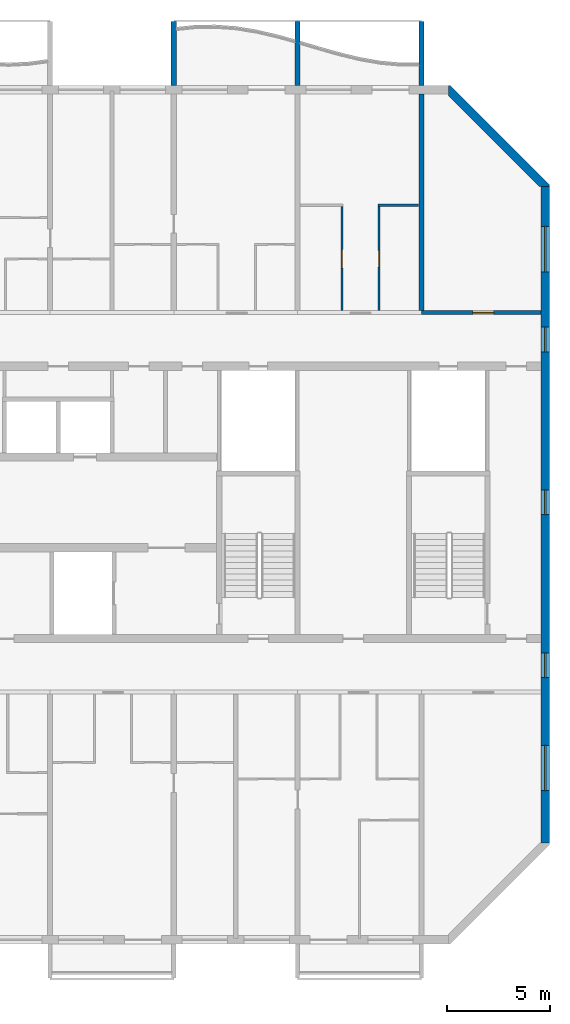
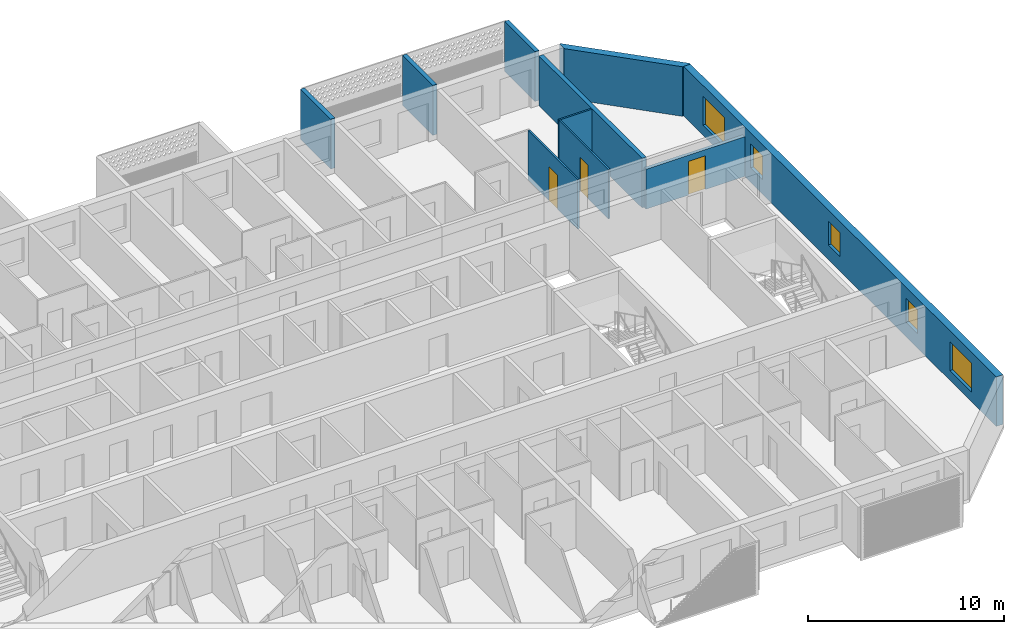
# One storey, part 11 of 27: 10 walls, 5 windows, 3 doors, 8 openings.
"""IFC4 building model written with IfcOpenShell, lengths in metres."""

from ifc_helpers import new_model, si_unit, direction, frame, frame_2d, origin, place, context, subcontext, project, spatial, polyline, rectangle, outline, extrude, source, transform, mapped, material, layer, layer_set, type_object, element, fill, save


model = new_model("IFC4")

# Units and contexts
model_context = context("Model", 3, precision=1e-05, world=origin(), true_north=direction((0.0, 1.0)))
body_context = subcontext(model_context, "Body", "Model", "MODEL_VIEW")
ifc_project = project(units=[si_unit("LENGTHUNIT", "METRE"), si_unit("AREAUNIT", "SQUARE_METRE"), si_unit("VOLUMEUNIT", "CUBIC_METRE"), si_unit("PLANEANGLEUNIT", "RADIAN"), si_unit("MASSUNIT", "GRAM", prefix="KILO")], contexts=[model_context])

# Site, building, storey
site_placement = place(None, origin())
site = spatial("IfcSite", under=ifc_project, at=site_placement, CompositionType="ELEMENT")
building_placement = place(site_placement, origin())
building = spatial("IfcBuilding", under=site, at=building_placement, Name="Poui Terraces", CompositionType="ELEMENT")
storey_placement = place(building_placement, frame((0.0, 0.0, 198.300048828125)))
storey = spatial("IfcBuildingStorey", under=building, at=storey_placement, Name="L55", CompositionType="ELEMENT", Elevation=198.300048828125)

# Wall, opening, door
ifc_material_1 = material(Name="Concrete 50 MPa", Category="concrete")
ifc_layer_1 = layer(ifc_material_1, 0.199951171875)
ifc_layer_set_1 = layer_set([ifc_layer_1], Name="Concrete 50 MPa")
wall_type_1 = type_object("IfcWallType", Name="CORRIDOR WALL 200 50MPa", PredefinedType="SHEAR", material=ifc_layer_set_1)
wall_1_placement = place(storey_placement, frame((78.0, 30.39990234375, 0.0), z_axis=(0.0, 0.0, 1.0), x_axis=(1.0, 0.0, 0.0)))
wall_1 = element("IfcWall", 1, at=wall_1_placement, inside=storey, type_object=wall_type_1, Name="CORRIDOR WALL LINE E BAY 11", PredefinedType="SHEAR", context=body_context, shape_type="SweptSolid", body=[
    extrude(rectangle(XDim=5.800048828125, YDim=0.199951171875, at=frame_2d((2.89990234375, 0.0))), origin(), (0.0, 0.0, 1.0), 2.47998046875),
])
opening_1_placement = place(wall_1_placement, frame((2.5, 0.0, 0.0)))
opening_1 = element("IfcOpeningElement", 2, at=opening_1_placement, cuts=wall_1, Name="Opening D100", PredefinedType="OPENING", context=body_context, shape_type="SweptSolid", body=[
    extrude(rectangle(XDim=1.0, YDim=2.10009765625, at=frame_2d((0.5, 1.050048828125))), frame((0.0, 0.10986328125, 0.0), z_axis=(0.0, -1.0, 0.0), x_axis=(1.0, 0.0, 0.0)), (0.0, 0.0, 1.0), 0.219970703125),
])
ifc_material_2 = material(Name="Solid core timber door", Category="wood")
door_type_1 = type_object("IfcDoorType", Name="ACCESSIBLE INTERNAL DOOR 1000 X 2100", OperationType="NOTDEFINED", PredefinedType="DOOR", material=ifc_material_2)
door_1_placement = place(opening_1_placement, origin())
door_1 = element("IfcDoor", 3, at=door_1_placement, inside=storey, type_object=door_type_1, Name="ACCESSIBLE INTERNAL DOOR 062", OperationType="SINGLE_SWING_LEFT", OverallHeight=2.10009765625, OverallWidth=1.0, PredefinedType="DOOR", context=body_context, shape_type="SweptSolid", body=[
    extrude(rectangle(XDim=1.0, YDim=2.10009765625, at=frame_2d((0.5, 1.050048828125))), frame((0.0, 0.02490234375, 0.0), z_axis=(0.0, -1.0, 0.0), x_axis=(1.0, 0.0, 0.0)), (0.0, 0.0, 1.0), 0.050048828125),
])
fill(opening_1, door_1)

# Wall
ifc_layer_2 = layer(ifc_material_1, 0.25)
ifc_layer_set_2 = layer_set([ifc_layer_2], Name="Concrete 50 MPa")
wall_type_2 = type_object("IfcWallType", Name="CROSS WALL 250 50MPa", PredefinedType="SHEAR", material=ifc_layer_set_2)
wall_2_placement = place(storey_placement, frame((78.0, 30.5, 0.0), z_axis=(0.0, 0.0, 1.0), x_axis=(0.0, 1.0, 0.0)))
element("IfcWall", 4, at=wall_2_placement, inside=storey, type_object=wall_type_2, Name="CROSS WALL LINE 14 NORTH", PredefinedType="SHEAR", context=body_context, shape_type="SweptSolid", body=[
    extrude(rectangle(XDim=10.5, YDim=0.25, at=frame_2d((5.25, 0.0))), origin(), (0.0, 0.0, 1.0), 3.079833984375),
])

# Wall, openings, windows
ifc_layer_3 = layer(ifc_material_1, 0.39990234375)
ifc_layer_set_3 = layer_set([ifc_layer_3], Name="Concrete 50 MPa")
wall_type_3 = type_object("IfcWallType", Name="END WALL 400 50MPa", PredefinedType="SHEAR", material=ifc_layer_set_3)
wall_3_placement = place(storey_placement, frame((84.0, 4.682861328125, 0.0), z_axis=(0.0, 0.0, 1.0), x_axis=(0.0, 1.0, 0.0)))
wall_3 = element("IfcWall", 5, at=wall_3_placement, inside=storey, type_object=wall_type_3, Name="END WALL EAST", PredefinedType="SHEAR", context=body_context, shape_type="SweptSolid", body=[
    extrude(rectangle(XDim=31.834228515625, YDim=0.39990234375, at=frame_2d((15.9169921875, 0.0))), origin(), (0.0, 0.0, 1.0), 3.079833984375),
])
opening_2_placement = place(wall_3_placement, frame((23.817138671875, 0.0, 0.89990234375)))
opening_2 = element("IfcOpeningElement", 6, at=opening_2_placement, cuts=wall_3, Name="Opening W2", PredefinedType="OPENING", context=body_context, shape_type="SweptSolid", body=[
    extrude(rectangle(XDim=1.199951171875, YDim=1.5, at=frame_2d((0.60009765625, 0.75))), frame((0.0, 0.2099609375, 0.0), z_axis=(0.0, -1.0, 0.0), x_axis=(1.0, 0.0, 0.0)), (0.0, 0.0, 1.0), 0.419921875),
])
opening_3_placement = place(wall_3_placement, frame((8.01708984375, 0.0, 0.89990234375)))
opening_3 = element("IfcOpeningElement", 7, at=opening_3_placement, cuts=wall_3, Name="Opening W2", PredefinedType="OPENING", context=body_context, shape_type="SweptSolid", body=[
    extrude(rectangle(XDim=1.199951171875, YDim=1.5, at=frame_2d((0.60009765625, 0.75))), frame((0.0, 0.2099609375, 0.0), z_axis=(0.0, -1.0, 0.0), x_axis=(1.0, 0.0, 0.0)), (0.0, 0.0, 1.0), 0.419921875),
])
opening_4_placement = place(wall_3_placement, frame((27.693603515625, 0.0, 0.60009765625)))
opening_4 = element("IfcOpeningElement", 8, at=opening_4_placement, cuts=wall_3, Name="Opening W3", PredefinedType="OPENING", context=body_context, shape_type="SweptSolid", body=[
    extrude(rectangle(XDim=2.199951171875, YDim=1.800048828125, at=frame_2d((1.10009765625, 0.89990234375))), frame((0.0, 0.2099609375, 0.0), z_axis=(0.0, -1.0, 0.0), x_axis=(1.0, 0.0, 0.0)), (0.0, 0.0, 1.0), 0.419921875),
])
opening_5_placement = place(wall_3_placement, frame((2.541015625, 0.0, 0.60009765625)))
opening_5 = element("IfcOpeningElement", 9, at=opening_5_placement, cuts=wall_3, Name="Opening W3", PredefinedType="OPENING", context=body_context, shape_type="SweptSolid", body=[
    extrude(rectangle(XDim=2.199951171875, YDim=1.800048828125, at=frame_2d((1.10009765625, 0.89990234375))), frame((0.0, 0.2099609375, 0.0), z_axis=(0.0, -1.0, 0.0), x_axis=(1.0, 0.0, 0.0)), (0.0, 0.0, 1.0), 0.419921875),
])
opening_6_placement = place(wall_3_placement, frame((15.917236328125, 0.0, 0.89990234375)))
opening_6 = element("IfcOpeningElement", 10, at=opening_6_placement, cuts=wall_3, Name="Opening W2", PredefinedType="OPENING", context=body_context, shape_type="SweptSolid", body=[
    extrude(rectangle(XDim=1.199951171875, YDim=1.5, at=frame_2d((0.60009765625, 0.75))), frame((0.0, 0.2099609375, 0.0), z_axis=(0.0, -1.0, 0.0), x_axis=(1.0, 0.0, 0.0)), (0.0, 0.0, 1.0), 0.419921875),
])
ifc_material_3 = material(Name="Clear glass in aluminium frame", Category="aluminium")
window_type_1 = type_object("IfcWindowType", Name="WINDOW 1200X1500", PartitioningType="SINGLE_PANEL", PredefinedType="WINDOW", material=ifc_material_3)
window_1_placement = place(opening_2_placement, origin())
window_1 = element("IfcWindow", 11, at=window_1_placement, inside=storey, type_object=window_type_1, Name="W2 WINDOW", OverallHeight=1.5, OverallWidth=1.199951171875, PartitioningType="SINGLE_PANEL", PredefinedType="WINDOW", context=body_context, shape_type="SweptSolid", body=[
    extrude(rectangle(XDim=1.199951171875, YDim=1.5, at=frame_2d((0.60009765625, 0.75))), frame((0.0, 0.030029296875, 0.0), z_axis=(0.0, -1.0, 0.0), x_axis=(1.0, 0.0, 0.0)), (0.0, 0.0, 1.0), 0.06005859375),
])
fill(opening_2, window_1)
window_2_placement = place(opening_3_placement, origin())
window_2 = element("IfcWindow", 12, at=window_2_placement, inside=storey, type_object=window_type_1, Name="W2 WINDOW", OverallHeight=1.5, OverallWidth=1.199951171875, PartitioningType="SINGLE_PANEL", PredefinedType="WINDOW", context=body_context, shape_type="SweptSolid", body=[
    extrude(rectangle(XDim=1.199951171875, YDim=1.5, at=frame_2d((0.60009765625, 0.75))), frame((0.0, 0.030029296875, 0.0), z_axis=(0.0, -1.0, 0.0), x_axis=(1.0, 0.0, 0.0)), (0.0, 0.0, 1.0), 0.06005859375),
])
fill(opening_3, window_2)
window_3_placement = place(opening_6_placement, origin())
window_3 = element("IfcWindow", 13, at=window_3_placement, inside=storey, type_object=window_type_1, Name="W2 WINDOW", OverallHeight=1.5, OverallWidth=1.199951171875, PartitioningType="SINGLE_PANEL", PredefinedType="WINDOW", context=body_context, shape_type="SweptSolid", body=[
    extrude(rectangle(XDim=1.199951171875, YDim=1.5, at=frame_2d((0.60009765625, 0.75))), frame((0.0, 0.030029296875, 0.0), z_axis=(0.0, -1.0, 0.0), x_axis=(1.0, 0.0, 0.0)), (0.0, 0.0, 1.0), 0.06005859375),
])
fill(opening_6, window_3)
window_type_2 = type_object("IfcWindowType", Name="WINDOW 2200X1800", PartitioningType="DOUBLE_PANEL_HORIZONTAL", PredefinedType="WINDOW", material=ifc_material_3)
window_4_placement = place(opening_4_placement, origin())
window_4 = element("IfcWindow", 14, at=window_4_placement, inside=storey, type_object=window_type_2, Name="W3 WINDOW", OverallHeight=1.800048828125, OverallWidth=2.199951171875, PartitioningType="DOUBLE_PANEL_HORIZONTAL", PredefinedType="WINDOW", context=body_context, shape_type="SweptSolid", body=[
    extrude(rectangle(XDim=2.199951171875, YDim=1.800048828125, at=frame_2d((1.10009765625, 0.89990234375))), frame((0.0, 0.030029296875, 0.0), z_axis=(0.0, -1.0, 0.0), x_axis=(1.0, 0.0, 0.0)), (0.0, 0.0, 1.0), 0.06005859375),
])
fill(opening_4, window_4)
window_5_placement = place(opening_5_placement, origin())
window_5 = element("IfcWindow", 15, at=window_5_placement, inside=storey, type_object=window_type_2, Name="W3 WINDOW", OverallHeight=1.800048828125, OverallWidth=2.199951171875, PartitioningType="DOUBLE_PANEL_HORIZONTAL", PredefinedType="WINDOW", context=body_context, shape_type="SweptSolid", body=[
    extrude(rectangle(XDim=2.199951171875, YDim=1.800048828125, at=frame_2d((1.10009765625, 0.89990234375))), frame((0.0, 0.030029296875, 0.0), z_axis=(0.0, -1.0, 0.0), x_axis=(1.0, 0.0, 0.0)), (0.0, 0.0, 1.0), 0.06005859375),
])
fill(opening_5, window_5)

# Wall
ifc_material_4 = material(Name="Plasterboard partition")
ifc_layer_4 = layer(ifc_material_4, 0.10009765625)
ifc_layer_set_4 = layer_set([ifc_layer_4], Name="Plasterboard partition")
wall_type_4 = type_object("IfcWallType", Name="FLAT PARTITION 100", PredefinedType="PARTITIONING", material=ifc_layer_set_4)
wall_4_placement = place(storey_placement, frame((75.89990234375, 35.60009765625, 0.0), z_axis=(0.0, 0.0, 1.0), x_axis=(1.0, 0.0, 0.0)))
element("IfcWall", 16, at=wall_4_placement, inside=storey, type_object=wall_type_4, Name="FLAT PARTITION 100", PredefinedType="PARTITIONING", context=body_context, shape_type="SweptSolid", body=[
    extrude(rectangle(XDim=1.965087890625, YDim=0.10009765625, at=frame_2d((0.982421875, 0.0))), origin(), (0.0, 0.0, 1.0), 3.079833984375),
])

# Wall, opening, door
wall_5_placement = place(storey_placement, frame((74.14990234375, 30.510009765625, 0.0), z_axis=(0.0, 0.0, 1.0), x_axis=(0.0, 1.0, 0.0)))
wall_5 = element("IfcWall", 17, at=wall_5_placement, inside=storey, type_object=wall_type_4, Name="FLAT PARTITION 100", PredefinedType="PARTITIONING", context=body_context, shape_type="SweptSolid", body=[
    extrude(rectangle(XDim=5.0400390625, YDim=0.10009765625, at=frame_2d((2.52001953125, 0.0))), origin(), (0.0, 0.0, 1.0), 3.079833984375),
])
opening_7_placement = place(wall_5_placement, frame((2.0400390625, 0.0, 0.0)))
opening_7 = element("IfcOpeningElement", 18, at=opening_7_placement, cuts=wall_5, Name="Opening D90", PredefinedType="OPENING", context=body_context, shape_type="SweptSolid", body=[
    extrude(rectangle(XDim=0.89990234375, YDim=2.10009765625, at=frame_2d((0.449951171875, 1.050048828125))), frame((0.0, 0.06005859375, 0.0), z_axis=(0.0, -1.0, 0.0), x_axis=(1.0, 0.0, 0.0)), (0.0, 0.0, 1.0), 0.1201171875),
])
door_type_2 = type_object("IfcDoorType", Name="INTERNAL DOOR 900 X 2100", OperationType="NOTDEFINED", PredefinedType="DOOR", material=ifc_material_2)
door_2_placement = place(opening_7_placement, origin())
door_2 = element("IfcDoor", 19, at=door_2_placement, inside=storey, type_object=door_type_2, Name="INTERNAL DOOR 059", OperationType="SINGLE_SWING_RIGHT", OverallHeight=2.10009765625, OverallWidth=0.89990234375, PredefinedType="DOOR", context=body_context, shape_type="SweptSolid", body=[
    extrude(rectangle(XDim=0.89990234375, YDim=2.10009765625, at=frame_2d((0.449951171875, 1.050048828125))), frame((0.0, 0.02490234375, 0.0), z_axis=(0.0, -1.0, 0.0), x_axis=(1.0, 0.0, 0.0)), (0.0, 0.0, 1.0), 0.050048828125),
])
fill(opening_7, door_2)

wall_6_placement = place(storey_placement, frame((75.949951171875, 30.510009765625, 0.0), z_axis=(0.0, 0.0, 1.0), x_axis=(0.0, 1.0, 0.0)))
wall_6 = element("IfcWall", 20, at=wall_6_placement, inside=storey, type_object=wall_type_4, Name="FLAT PARTITION 100", PredefinedType="PARTITIONING", context=body_context, shape_type="SweptSolid", body=[
    extrude(rectangle(XDim=5.0400390625, YDim=0.10009765625, at=frame_2d((2.52001953125, 0.0))), origin(), (0.0, 0.0, 1.0), 3.079833984375),
])
opening_8_placement = place(wall_6_placement, frame((2.090087890625, 0.0, 0.0)))
opening_8 = element("IfcOpeningElement", 21, at=opening_8_placement, cuts=wall_6, Name="Opening D80", PredefinedType="OPENING", context=body_context, shape_type="SweptSolid", body=[
    extrude(rectangle(XDim=0.800048828125, YDim=2.10009765625, at=frame_2d((0.39990234375, 1.050048828125))), frame((0.0, 0.06005859375, 0.0), z_axis=(0.0, -1.0, 0.0), x_axis=(1.0, 0.0, 0.0)), (0.0, 0.0, 1.0), 0.1201171875),
])
door_type_3 = type_object("IfcDoorType", Name="BATHROOM, LAUNDRY AND STORE DOOR 800 X 2100", OperationType="NOTDEFINED", PredefinedType="DOOR", material=ifc_material_2)
door_3_placement = place(opening_8_placement, frame((0.800048828125, 0.0, 0.0), z_axis=(0.0, 0.0, 1.0), x_axis=(-1.0, 0.0, 0.0)))
door_3 = element("IfcDoor", 22, at=door_3_placement, inside=storey, type_object=door_type_3, Name="BATHROOM, LAUNDRY AND STORE DOOR 061", OperationType="SINGLE_SWING_RIGHT", OverallHeight=2.10009765625, OverallWidth=0.800048828125, PredefinedType="DOOR", context=body_context, shape_type="SweptSolid", body=[
    extrude(rectangle(XDim=0.800048828125, YDim=2.10009765625, at=frame_2d((0.39990234375, 1.050048828125))), frame((0.0, 0.02490234375, 0.0), z_axis=(0.0, -1.0, 0.0), x_axis=(1.0, 0.0, 0.0)), (0.0, 0.0, 1.0), 0.050048828125),
])
fill(opening_8, door_3)

# Walls
ifc_material_5 = material(Name="Precast concrete 40 MPa", Category="concrete")
ifc_layer_5 = layer(ifc_material_5, 0.39990234375)
ifc_layer_set_5 = layer_set([ifc_layer_5], Name="Precast concrete 40 MPa")
wall_type_5 = type_object("IfcWallType", Name="TERRACOTTA CLAD CHAMFER WALL 400", PredefinedType="STANDARD", material=ifc_layer_set_5)
wall_7_placement = place(storey_placement, origin())
element("IfcWall", 23, at=wall_7_placement, inside=storey, type_object=wall_type_5, Name="CHAMFER WALL CH03", PredefinedType="STANDARD", context=body_context, shape_type="SweptSolid", body=[
    extrude(outline(polyline([(84.199951171875, 36.51708984375), (84.199951171875, 36.60009765625), (79.39990234375, 41.39990234375), (79.317138671875, 41.39990234375), (79.317138671875, 40.917236328125), (83.71728515625, 36.51708984375), (84.199951171875, 36.51708984375)])), origin(), (0.0, 0.0, 1.0), 3.079833984375),
])
ifc_layer_6 = layer(ifc_material_5, 0.25)
ifc_layer_set_6 = layer_set([ifc_layer_6], Name="Precast concrete 40 MPa")
wall_type_6 = type_object("IfcWallType", Name="BALCONY FIN 250", PredefinedType="STANDARD", material=ifc_layer_set_6)
shared_shape = source(origin(), body_context, "Body", "SweptSolid", [
    extrude(outline(polyline([(0.0, 0.0), (0.25, 0.0), (0.25, 3.10009765625), (0.0, 3.10009765625), (0.0, 0.0)])), origin(), (0.0, 0.0, 1.0), 3.099853515625),
])
for number, where, name in (
    (24, (65.875, 41.39990234375, 0.0), "BALCONY FIN"),
    (25, (71.875, 41.39990234375, 0.0), "BALCONY FIN"),
    (26, (77.875, 41.39990234375, 0.0), "BALCONY FIN"),
):
    element("IfcWall", number, at=place(storey_placement, frame(where)), inside=storey, type_object=wall_type_6, Name=name, PredefinedType="STANDARD", context=body_context, shape_type="MappedRepresentation", body=[
        mapped(shared_shape, transform((0.0, 0.0, 0.0))),
    ])

save(model, "model.ifc")
